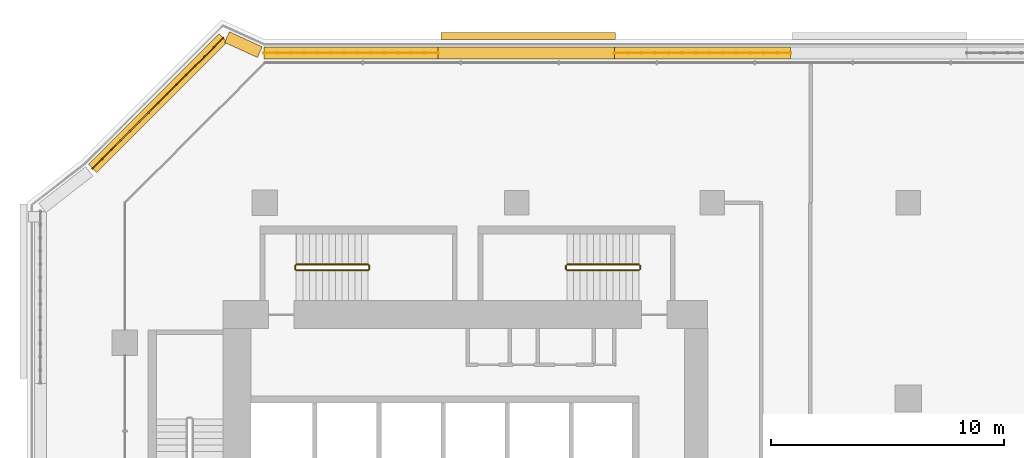
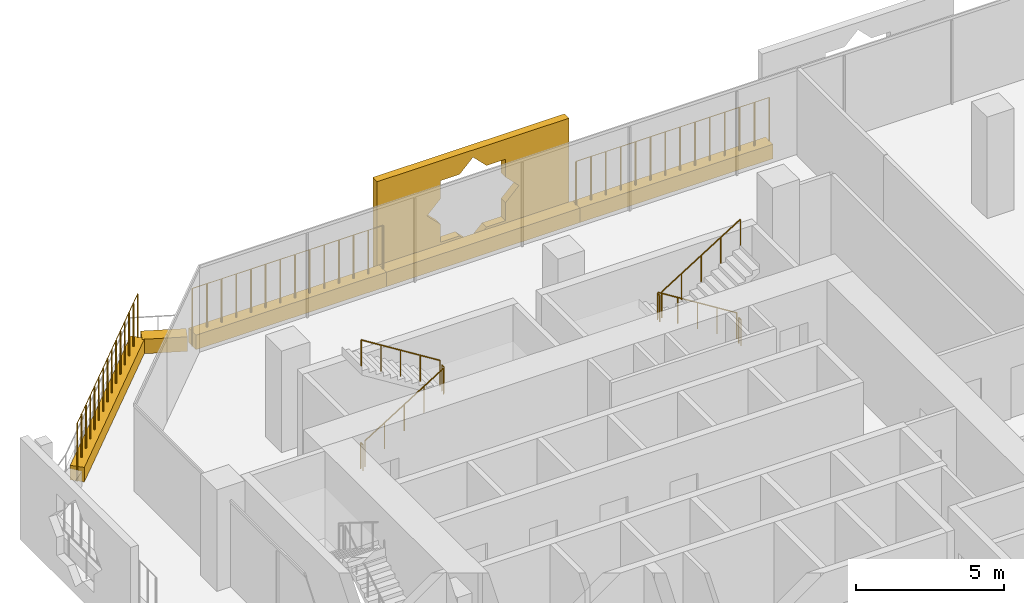
# One storey, part 27 of 29: 11 railings, 6 coverings.
"""IFC4 building model written with IfcOpenShell, lengths in metres."""

from ifc_helpers import new_model, si_unit, direction, frame, origin, origin_2d, place, context, subcontext, project, spatial, polyline, rectangle, circle, outline, extrude, material, material_profile, profile_set, type_object, element, save


model = new_model("IFC4")

# Units and contexts
model_context = context("Model", 3, precision=1e-05, world=origin(), true_north=direction((0.0, 1.0)))
body_context = subcontext(model_context, "Body", "Model", "MODEL_VIEW")
ifc_project = project(units=[si_unit("LENGTHUNIT", "METRE"), si_unit("AREAUNIT", "SQUARE_METRE"), si_unit("VOLUMEUNIT", "CUBIC_METRE"), si_unit("PLANEANGLEUNIT", "RADIAN"), si_unit("MASSUNIT", "GRAM", prefix="KILO")], contexts=[model_context])

# Site, building, storey
site_placement = place(None, origin())
site = spatial("IfcSite", under=ifc_project, at=site_placement, CompositionType="ELEMENT")
building_placement = place(site_placement, origin())
building = spatial("IfcBuilding", under=site, at=building_placement, Name="Kawkab Arch Medical Tower", CompositionType="ELEMENT")
storey_placement = place(building_placement, frame((0.0, 0.0, 107.199951171875)))
storey = spatial("IfcBuildingStorey", under=building, at=storey_placement, Name="L24", CompositionType="ELEMENT", Elevation=107.199951171875)

# Coverings
ifc_material_1 = material(Name="Bronze anodised aluminium mashrabiya panel, eight-point star pattern", Category="aluminium")
ifc_material_profile_1 = material_profile(ifc_material_1, outline(polyline([(-3.75, -2.10009765625), (3.75, -2.10009765625), (3.75, 2.10009765625), (-3.75, 2.10009765625), (-3.75, -2.10009765625)]), holes=[polyline([(1.800048828125, 0.0), (1.272705078125, 0.527099609375), (1.272705078125, 1.272705078125), (0.527099609375, 1.272705078125), (0.0, 1.800048828125), (-0.527099609375, 1.272705078125), (-1.272705078125, 1.272705078125), (-1.272705078125, 0.527099609375), (-1.800048828125, 0.0), (-1.272705078125, -0.527099609375), (-1.272705078125, -1.272705078125), (-0.527099609375, -1.272705078125), (0.0, -1.800048828125), (0.527099609375, -1.272705078125), (1.272705078125, -1.272705078125), (1.272705078125, -0.527099609375), (1.800048828125, 0.0)])]), Name="Mashrabiya panel 7500x4200")
ifc_profile_set_1 = profile_set([ifc_material_profile_1], Name="Bronze anodised aluminium mashrabiya panel, eight-point star pattern")
covering_type_1 = type_object("IfcCoveringType", Name="Mashrabiya panel 7500 x 4200", PredefinedType="USERDEFINED", material=ifc_profile_set_1)
covering_1_placement = place(storey_placement, frame((17.298583984375, 7.0, 1.699951171875), z_axis=(0.0, 1.0, 0.0), x_axis=(-1.0, 0.0, 0.0)))
element("IfcCovering", 1, at=covering_1_placement, inside=storey, type_object=covering_type_1, Name="Mashrabiya panel L24.LOG-01-02.6", ObjectType="SCREEN", PredefinedType="USERDEFINED", context=body_context, shape_type="SweptSolid", body=[
    extrude(outline(polyline([(-3.75, -2.10009765625), (3.75, -2.10009765625), (3.75, 2.10009765625), (-3.75, 2.10009765625), (-3.75, -2.10009765625)]), holes=[polyline([(1.800048828125, 0.0), (1.272705078125, 0.527099609375), (1.272705078125, 1.272705078125), (0.527099609375, 1.272705078125), (0.0, 1.800048828125), (-0.527099609375, 1.272705078125), (-1.272705078125, 1.272705078125), (-1.272705078125, 0.527099609375), (-1.800048828125, 0.0), (-1.272705078125, -0.527099609375), (-1.272705078125, -1.272705078125), (-0.527099609375, -1.272705078125), (0.0, -1.800048828125), (0.527099609375, -1.272705078125), (1.272705078125, -1.272705078125), (1.272705078125, -0.527099609375), (1.800048828125, 0.0)])]), origin(), (0.0, 0.0, 1.0), 0.300048828125),
])
ifc_material_2 = material(Name="Planting soil in a precast trough", Category="concrete")
ifc_material_profile_2 = material_profile(ifc_material_2, rectangle(XDim=0.5, YDim=0.60009765625, at=origin_2d()), Name="Trough 500x600")
ifc_profile_set_2 = profile_set([ifc_material_profile_2], Name="Planting soil in a precast trough")
covering_type_2 = type_object("IfcCoveringType", Name="Planter trough 500 x 600", PredefinedType="USERDEFINED", material=ifc_profile_set_2)
covering_2_placement = place(storey_placement, frame((-1.383056640625, 1.472900390625, 0.300048828125), z_axis=(0.707106781187, 0.707106781187, 0.0), x_axis=(-0.707106781187, 0.707106781187, 0.0)))
element("IfcCovering", 2, at=covering_2_placement, inside=storey, type_object=covering_type_2, Name="Planter L24.LOG-01-02.15", ObjectType="PLANTER", PredefinedType="USERDEFINED", context=body_context, shape_type="SweptSolid", body=[
    extrude(rectangle(XDim=0.5, YDim=0.60009765625, at=origin_2d()), origin(), (0.0, 0.0, 1.0), 7.919677734375),
])
covering_3_placement = place(storey_placement, frame((4.37890625, 7.10205078125, 0.300048828125), z_axis=(0.909655525109, -0.415363486165, 0.0), x_axis=(0.415363486165, 0.909655525109, 0.0)))
element("IfcCovering", 3, at=covering_3_placement, inside=storey, type_object=covering_type_2, Name="Planter L24.LOG-01-02.16", ObjectType="PLANTER", PredefinedType="USERDEFINED", context=body_context, shape_type="SweptSolid", body=[
    extrude(rectangle(XDim=0.5, YDim=0.60009765625, at=origin_2d()), origin(), (0.0, 0.0, 1.0), 1.54345703125),
])
covering_4_placement = place(storey_placement, frame((5.97412109375, 6.419921875, 0.300048828125), z_axis=(1.0, 0.0, 0.0), x_axis=(0.0, 1.0, 0.0)))
element("IfcCovering", 4, at=covering_4_placement, inside=storey, type_object=covering_type_2, Name="Planter L24.LOG-01-02.17", ObjectType="PLANTER", PredefinedType="USERDEFINED", context=body_context, shape_type="SweptSolid", body=[
    extrude(rectangle(XDim=0.5, YDim=0.60009765625, at=origin_2d()), origin(), (0.0, 0.0, 1.0), 7.4609375),
])
covering_5_placement = place(storey_placement, frame((13.43505859375, 6.419921875, 0.300048828125), z_axis=(1.0, 0.0, 0.0), x_axis=(0.0, 1.0, 0.0)))
element("IfcCovering", 5, at=covering_5_placement, inside=storey, type_object=covering_type_2, Name="Planter L24.LOG-01-02.18", ObjectType="PLANTER", PredefinedType="USERDEFINED", context=body_context, shape_type="SweptSolid", body=[
    extrude(rectangle(XDim=0.5, YDim=0.60009765625, at=origin_2d()), origin(), (0.0, 0.0, 1.0), 7.56201171875),
])
covering_6_placement = place(storey_placement, frame((20.9970703125, 6.419921875, 0.300048828125), z_axis=(1.0, 0.0, 0.0), x_axis=(0.0, 1.0, 0.0)))
element("IfcCovering", 6, at=covering_6_placement, inside=storey, type_object=covering_type_2, Name="Planter L24.LOG-01-02.19", ObjectType="PLANTER", PredefinedType="USERDEFINED", context=body_context, shape_type="SweptSolid", body=[
    extrude(rectangle(XDim=0.5, YDim=0.60009765625, at=origin_2d()), origin(), (0.0, 0.0, 1.0), 7.56103515625),
])

# Railings
ifc_material_3 = material(Name="Bronze anodised aluminium trellis for climbing plants", Category="aluminium")
railing_type_1 = type_object("IfcRailingType", Name="Planting trellis 2400", PredefinedType="USERDEFINED", material=ifc_material_3)
railing_1_placement = place(storey_placement, frame((-1.383056640625, 1.472900390625, 0.0)))
element("IfcRailing", 7, at=railing_1_placement, inside=storey, type_object=railing_type_1, Name="Planting trellis L24.LOG-01-02.15", ObjectType="TRELLIS", PredefinedType="USERDEFINED", context=body_context, shape_type="SweptSolid", body=[
    extrude(circle(Radius=0.01513671875, at=origin_2d()), frame((0.0, 0.0, 2.384765625), z_axis=(0.707106781187, 0.707106781187, 0.0), x_axis=(-0.707106781187, 0.707106781187, 0.0)), (0.0, 0.0, 1.0), 7.919677734375),
    extrude(circle(Radius=0.030029296875, at=origin_2d()), origin(), (0.0, 0.0, 1.0), 2.369873046875),
    extrude(circle(Radius=0.030029296875, at=origin_2d()), frame((0.39990234375, 0.39990234375, 0.0)), (0.0, 0.0, 1.0), 2.369873046875),
    extrude(circle(Radius=0.030029296875, at=origin_2d()), frame((0.800048828125, 0.800048828125, 0.0)), (0.0, 0.0, 1.0), 2.369873046875),
    extrude(circle(Radius=0.030029296875, at=origin_2d()), frame((1.199951171875, 1.199951171875, 0.0)), (0.0, 0.0, 1.0), 2.369873046875),
    extrude(circle(Radius=0.030029296875, at=origin_2d()), frame((1.60009765625, 1.60009765625, 0.0)), (0.0, 0.0, 1.0), 2.369873046875),
    extrude(circle(Radius=0.030029296875, at=origin_2d()), frame((2.0, 2.0, 0.0)), (0.0, 0.0, 1.0), 2.369873046875),
    extrude(circle(Radius=0.030029296875, at=origin_2d()), frame((2.400146484375, 2.400146484375, 0.0)), (0.0, 0.0, 1.0), 2.369873046875),
    extrude(circle(Radius=0.030029296875, at=origin_2d()), frame((2.800048828125, 2.800048828125, 0.0)), (0.0, 0.0, 1.0), 2.369873046875),
    extrude(circle(Radius=0.030029296875, at=origin_2d()), frame((3.199951171875, 3.199951171875, 0.0)), (0.0, 0.0, 1.0), 2.369873046875),
    extrude(circle(Radius=0.030029296875, at=origin_2d()), frame((3.60009765625, 3.60009765625, 0.0)), (0.0, 0.0, 1.0), 2.369873046875),
    extrude(circle(Radius=0.030029296875, at=origin_2d()), frame((4.0, 4.0, 0.0)), (0.0, 0.0, 1.0), 2.369873046875),
    extrude(circle(Radius=0.030029296875, at=origin_2d()), frame((4.400146484375, 4.400146484375, 0.0)), (0.0, 0.0, 1.0), 2.369873046875),
    extrude(circle(Radius=0.030029296875, at=origin_2d()), frame((4.800048828125, 4.800048828125, 0.0)), (0.0, 0.0, 1.0), 2.369873046875),
    extrude(circle(Radius=0.030029296875, at=origin_2d()), frame((5.2001953125, 5.2001953125, 0.0)), (0.0, 0.0, 1.0), 2.369873046875),
    extrude(circle(Radius=0.030029296875, at=origin_2d()), frame((5.60009765625, 5.60009765625, 0.0)), (0.0, 0.0, 1.0), 2.369873046875),
])
railing_2_placement = place(storey_placement, frame((5.97412109375, 6.419921875, 0.0)))
element("IfcRailing", 8, at=railing_2_placement, inside=storey, type_object=railing_type_1, Name="Planting trellis L24.LOG-01-02.17", ObjectType="TRELLIS", PredefinedType="USERDEFINED", context=body_context, shape_type="SweptSolid", body=[
    extrude(circle(Radius=0.01513671875, at=origin_2d()), frame((0.0, 0.0, 2.384765625), z_axis=(1.0, 0.0, 0.0), x_axis=(0.0, 1.0, 0.0)), (0.0, 0.0, 1.0), 7.4609375),
    extrude(circle(Radius=0.030029296875, at=origin_2d()), origin(), (0.0, 0.0, 1.0), 2.369873046875),
    extrude(circle(Radius=0.030029296875, at=origin_2d()), frame((0.573974609375, 0.0, 0.0)), (0.0, 0.0, 1.0), 2.369873046875),
    extrude(circle(Radius=0.030029296875, at=origin_2d()), frame((1.14794921875, 0.0, 0.0)), (0.0, 0.0, 1.0), 2.369873046875),
    extrude(circle(Radius=0.030029296875, at=origin_2d()), frame((1.7216796875, 0.0, 0.0)), (0.0, 0.0, 1.0), 2.369873046875),
    extrude(circle(Radius=0.030029296875, at=origin_2d()), frame((2.295654296875, 0.0, 0.0)), (0.0, 0.0, 1.0), 2.369873046875),
    extrude(circle(Radius=0.030029296875, at=origin_2d()), frame((2.86962890625, 0.0, 0.0)), (0.0, 0.0, 1.0), 2.369873046875),
    extrude(circle(Radius=0.030029296875, at=origin_2d()), frame((3.443603515625, 0.0, 0.0)), (0.0, 0.0, 1.0), 2.369873046875),
    extrude(circle(Radius=0.030029296875, at=origin_2d()), frame((4.017333984375, 0.0, 0.0)), (0.0, 0.0, 1.0), 2.369873046875),
    extrude(circle(Radius=0.030029296875, at=origin_2d()), frame((4.59130859375, 0.0, 0.0)), (0.0, 0.0, 1.0), 2.369873046875),
    extrude(circle(Radius=0.030029296875, at=origin_2d()), frame((5.165283203125, 0.0, 0.0)), (0.0, 0.0, 1.0), 2.369873046875),
    extrude(circle(Radius=0.030029296875, at=origin_2d()), frame((5.7392578125, 0.0, 0.0)), (0.0, 0.0, 1.0), 2.369873046875),
    extrude(circle(Radius=0.030029296875, at=origin_2d()), frame((6.31298828125, 0.0, 0.0)), (0.0, 0.0, 1.0), 2.369873046875),
    extrude(circle(Radius=0.030029296875, at=origin_2d()), frame((6.886962890625, 0.0, 0.0)), (0.0, 0.0, 1.0), 2.369873046875),
    extrude(circle(Radius=0.030029296875, at=origin_2d()), frame((7.4609375, 0.0, 0.0)), (0.0, 0.0, 1.0), 2.369873046875),
])
railing_3_placement = place(storey_placement, frame((20.9970703125, 6.419921875, 0.0)))
element("IfcRailing", 9, at=railing_3_placement, inside=storey, type_object=railing_type_1, Name="Planting trellis L24.LOG-01-02.19", ObjectType="TRELLIS", PredefinedType="USERDEFINED", context=body_context, shape_type="SweptSolid", body=[
    extrude(circle(Radius=0.01513671875, at=origin_2d()), frame((0.0, 0.0, 2.384765625), z_axis=(1.0, 0.0, 0.0), x_axis=(0.0, 1.0, 0.0)), (0.0, 0.0, 1.0), 7.56103515625),
    extrude(circle(Radius=0.030029296875, at=origin_2d()), origin(), (0.0, 0.0, 1.0), 2.369873046875),
    extrude(circle(Radius=0.030029296875, at=origin_2d()), frame((0.58154296875, 0.0, 0.0)), (0.0, 0.0, 1.0), 2.369873046875),
    extrude(circle(Radius=0.030029296875, at=origin_2d()), frame((1.163330078125, 0.0, 0.0)), (0.0, 0.0, 1.0), 2.369873046875),
    extrude(circle(Radius=0.030029296875, at=origin_2d()), frame((1.744873046875, 0.0, 0.0)), (0.0, 0.0, 1.0), 2.369873046875),
    extrude(circle(Radius=0.030029296875, at=origin_2d()), frame((2.326416015625, 0.0, 0.0)), (0.0, 0.0, 1.0), 2.369873046875),
    extrude(circle(Radius=0.030029296875, at=origin_2d()), frame((2.908203125, 0.0, 0.0)), (0.0, 0.0, 1.0), 2.369873046875),
    extrude(circle(Radius=0.030029296875, at=origin_2d()), frame((3.48974609375, 0.0, 0.0)), (0.0, 0.0, 1.0), 2.369873046875),
    extrude(circle(Radius=0.030029296875, at=origin_2d()), frame((4.0712890625, 0.0, 0.0)), (0.0, 0.0, 1.0), 2.369873046875),
    extrude(circle(Radius=0.030029296875, at=origin_2d()), frame((4.65283203125, 0.0, 0.0)), (0.0, 0.0, 1.0), 2.369873046875),
    extrude(circle(Radius=0.030029296875, at=origin_2d()), frame((5.234619140625, 0.0, 0.0)), (0.0, 0.0, 1.0), 2.369873046875),
    extrude(circle(Radius=0.030029296875, at=origin_2d()), frame((5.816162109375, 0.0, 0.0)), (0.0, 0.0, 1.0), 2.369873046875),
    extrude(circle(Radius=0.030029296875, at=origin_2d()), frame((6.397705078125, 0.0, 0.0)), (0.0, 0.0, 1.0), 2.369873046875),
    extrude(circle(Radius=0.030029296875, at=origin_2d()), frame((6.9794921875, 0.0, 0.0)), (0.0, 0.0, 1.0), 2.369873046875),
    extrude(circle(Radius=0.030029296875, at=origin_2d()), frame((7.56103515625, 0.0, 0.0)), (0.0, 0.0, 1.0), 2.369873046875),
])
ifc_material_4 = material(Name="Stainless steel", Category="steel")
railing_type_2 = type_object("IfcRailingType", Name="Stair guard 1100", PredefinedType="GUARDRAIL", material=ifc_material_4)
railing_4_placement = place(storey_placement, frame((7.35009765625, -2.89990234375, 0.175048828125)))
element("IfcRailing", 10, at=railing_4_placement, inside=storey, type_object=railing_type_2, Name="L24 ST3 stair guard 1", PredefinedType="GUARDRAIL", context=body_context, shape_type="SweptSolid", body=[
    extrude(circle(Radius=0.02392578125, at=origin_2d()), frame((0.0, 0.0, 1.076171875), z_axis=(0.847979421464, 0.0, 0.530029150871), x_axis=(0.0, 1.0, 0.0)), (0.0, 0.0, 1.0), 3.632080078125),
    extrude(circle(Radius=0.02099609375, at=origin_2d()), origin(), (0.0, 0.0, 1.0), 1.052001953125),
    extrude(circle(Radius=0.02099609375, at=origin_2d()), frame((0.77001953125, 0.0, 0.481201171875)), (0.0, 0.0, 1.0), 1.052001953125),
    extrude(circle(Radius=0.02099609375, at=origin_2d()), frame((1.5400390625, 0.0, 0.96240234375)), (0.0, 0.0, 1.0), 1.052001953125),
    extrude(circle(Radius=0.02099609375, at=origin_2d()), frame((2.309814453125, 0.0, 1.44384765625)), (0.0, 0.0, 1.0), 1.052001953125),
    extrude(circle(Radius=0.02099609375, at=origin_2d()), frame((3.079833984375, 0.0, 1.925048828125)), (0.0, 0.0, 1.0), 1.052001953125),
])
railing_5_placement = place(storey_placement, frame((10.47998046875, -2.85009765625, 2.10009765625)))
element("IfcRailing", 11, at=railing_5_placement, inside=storey, type_object=railing_type_2, Name="L24 ST3 stair guard 2", PredefinedType="GUARDRAIL", context=body_context, shape_type="SweptSolid", body=[
    extrude(circle(Radius=0.02392578125, at=origin_2d()), frame((0.0, 0.0, 1.076171875), z_axis=(0.0, 1.0, 0.0), x_axis=(-1.0, 0.0, 0.0)), (0.0, 0.0, 1.0), 0.150146484375),
    extrude(circle(Radius=0.02099609375, at=origin_2d()), origin(), (0.0, 0.0, 1.0), 1.052001953125),
    extrude(circle(Radius=0.02099609375, at=origin_2d()), frame((0.0, 0.150146484375, 0.0)), (0.0, 0.0, 1.0), 1.052001953125),
])
railing_6_placement = place(storey_placement, frame((10.429931640625, -2.64990234375, 2.275146484375)))
element("IfcRailing", 12, at=railing_6_placement, inside=storey, type_object=railing_type_2, Name="L24 ST3 stair guard 3", PredefinedType="GUARDRAIL", context=body_context, shape_type="SweptSolid", body=[
    extrude(circle(Radius=0.02392578125, at=origin_2d()), frame((0.0, 0.0, 1.076171875), z_axis=(-0.848009633417, 0.0, 0.529980812513), x_axis=(0.0, -1.0, 0.0)), (0.0, 0.0, 1.0), 3.6318359375),
    extrude(circle(Radius=0.02099609375, at=origin_2d()), origin(), (0.0, 0.0, 1.0), 1.052001953125),
    extrude(circle(Radius=0.02099609375, at=origin_2d()), frame((-0.77001953125, 0.0, 0.481201171875)), (0.0, 0.0, 1.0), 1.052001953125),
    extrude(circle(Radius=0.02099609375, at=origin_2d()), frame((-1.5400390625, 0.0, 0.96240234375)), (0.0, 0.0, 1.0), 1.052001953125),
    extrude(circle(Radius=0.02099609375, at=origin_2d()), frame((-2.309814453125, 0.0, 1.443603515625)), (0.0, 0.0, 1.0), 1.052001953125),
    extrude(circle(Radius=0.02099609375, at=origin_2d()), frame((-3.079833984375, 0.0, 1.9248046875)), (0.0, 0.0, 1.0), 1.052001953125),
])
railing_7_placement = place(storey_placement, frame((7.300048828125, -2.85009765625, 0.0)))
element("IfcRailing", 13, at=railing_7_placement, inside=storey, type_object=railing_type_2, Name="L24 ST3 stair guard 4", PredefinedType="GUARDRAIL", context=body_context, shape_type="SweptSolid", body=[
    extrude(circle(Radius=0.02392578125, at=origin_2d()), frame((0.0, 0.0, 1.076171875), z_axis=(0.0, 1.0, 0.0), x_axis=(-1.0, 0.0, 0.0)), (0.0, 0.0, 1.0), 0.150146484375),
    extrude(circle(Radius=0.02099609375, at=origin_2d()), origin(), (0.0, 0.0, 1.0), 1.052001953125),
    extrude(circle(Radius=0.02099609375, at=origin_2d()), frame((0.0, 0.150146484375, 0.0)), (0.0, 0.0, 1.0), 1.052001953125),
])
railing_8_placement = place(storey_placement, frame((22.050048828125, -2.64990234375, 0.175048828125)))
element("IfcRailing", 14, at=railing_8_placement, inside=storey, type_object=railing_type_2, Name="L24 ST4 stair guard 1", PredefinedType="GUARDRAIL", context=body_context, shape_type="SweptSolid", body=[
    extrude(circle(Radius=0.02392578125, at=origin_2d()), frame((0.0, 0.0, 1.076171875), z_axis=(-0.847998304005, 0.0, 0.529998940003), x_axis=(0.0, -1.0, 0.0)), (0.0, 0.0, 1.0), 3.632080078125),
    extrude(circle(Radius=0.02099609375, at=origin_2d()), origin(), (0.0, 0.0, 1.0), 1.052001953125),
    extrude(circle(Radius=0.02099609375, at=origin_2d()), frame((-0.77001953125, 0.0, 0.481201171875)), (0.0, 0.0, 1.0), 1.052001953125),
    extrude(circle(Radius=0.02099609375, at=origin_2d()), frame((-1.5400390625, 0.0, 0.96240234375)), (0.0, 0.0, 1.0), 1.052001953125),
    extrude(circle(Radius=0.02099609375, at=origin_2d()), frame((-2.31005859375, 0.0, 1.44384765625)), (0.0, 0.0, 1.0), 1.052001953125),
    extrude(circle(Radius=0.02099609375, at=origin_2d()), frame((-3.080078125, 0.0, 1.925048828125)), (0.0, 0.0, 1.0), 1.052001953125),
])
railing_9_placement = place(storey_placement, frame((18.919921875, -2.699951171875, 2.10009765625)))
element("IfcRailing", 15, at=railing_9_placement, inside=storey, type_object=railing_type_2, Name="L24 ST4 stair guard 2", PredefinedType="GUARDRAIL", context=body_context, shape_type="SweptSolid", body=[
    extrude(circle(Radius=0.02392578125, at=origin_2d()), frame((0.0, 0.0, 1.076171875), z_axis=(0.0, -1.0, 0.0), x_axis=(1.0, 0.0, 0.0)), (0.0, 0.0, 1.0), 0.150146484375),
    extrude(circle(Radius=0.02099609375, at=origin_2d()), origin(), (0.0, 0.0, 1.0), 1.052001953125),
    extrude(circle(Radius=0.02099609375, at=origin_2d()), frame((0.0, -0.150146484375, 0.0)), (0.0, 0.0, 1.0), 1.052001953125),
])
railing_10_placement = place(storey_placement, frame((18.969970703125, -2.89990234375, 2.275146484375)))
element("IfcRailing", 16, at=railing_10_placement, inside=storey, type_object=railing_type_2, Name="L24 ST4 stair guard 3", PredefinedType="GUARDRAIL", context=body_context, shape_type="SweptSolid", body=[
    extrude(circle(Radius=0.02392578125, at=origin_2d()), frame((0.0, 0.0, 1.076171875), z_axis=(0.848028513186, 0.0, 0.529950602248), x_axis=(0.0, 1.0, 0.0)), (0.0, 0.0, 1.0), 3.632080078125),
    extrude(circle(Radius=0.02099609375, at=origin_2d()), origin(), (0.0, 0.0, 1.0), 1.052001953125),
    extrude(circle(Radius=0.02099609375, at=origin_2d()), frame((0.77001953125, 0.0, 0.481201171875)), (0.0, 0.0, 1.0), 1.052001953125),
    extrude(circle(Radius=0.02099609375, at=origin_2d()), frame((1.5400390625, 0.0, 0.96240234375)), (0.0, 0.0, 1.0), 1.052001953125),
    extrude(circle(Radius=0.02099609375, at=origin_2d()), frame((2.31005859375, 0.0, 1.443603515625)), (0.0, 0.0, 1.0), 1.052001953125),
    extrude(circle(Radius=0.02099609375, at=origin_2d()), frame((3.080078125, 0.0, 1.9248046875)), (0.0, 0.0, 1.0), 1.052001953125),
])
railing_11_placement = place(storey_placement, frame((22.10009765625, -2.699951171875, 0.0)))
element("IfcRailing", 17, at=railing_11_placement, inside=storey, type_object=railing_type_2, Name="L24 ST4 stair guard 4", PredefinedType="GUARDRAIL", context=body_context, shape_type="SweptSolid", body=[
    extrude(circle(Radius=0.02392578125, at=origin_2d()), frame((0.0, 0.0, 1.076171875), z_axis=(0.0, -1.0, 0.0), x_axis=(1.0, 0.0, 0.0)), (0.0, 0.0, 1.0), 0.150146484375),
    extrude(circle(Radius=0.02099609375, at=origin_2d()), origin(), (0.0, 0.0, 1.0), 1.052001953125),
    extrude(circle(Radius=0.02099609375, at=origin_2d()), frame((0.0, -0.150146484375, 0.0)), (0.0, 0.0, 1.0), 1.052001953125),
])

save(model, "model.ifc")
